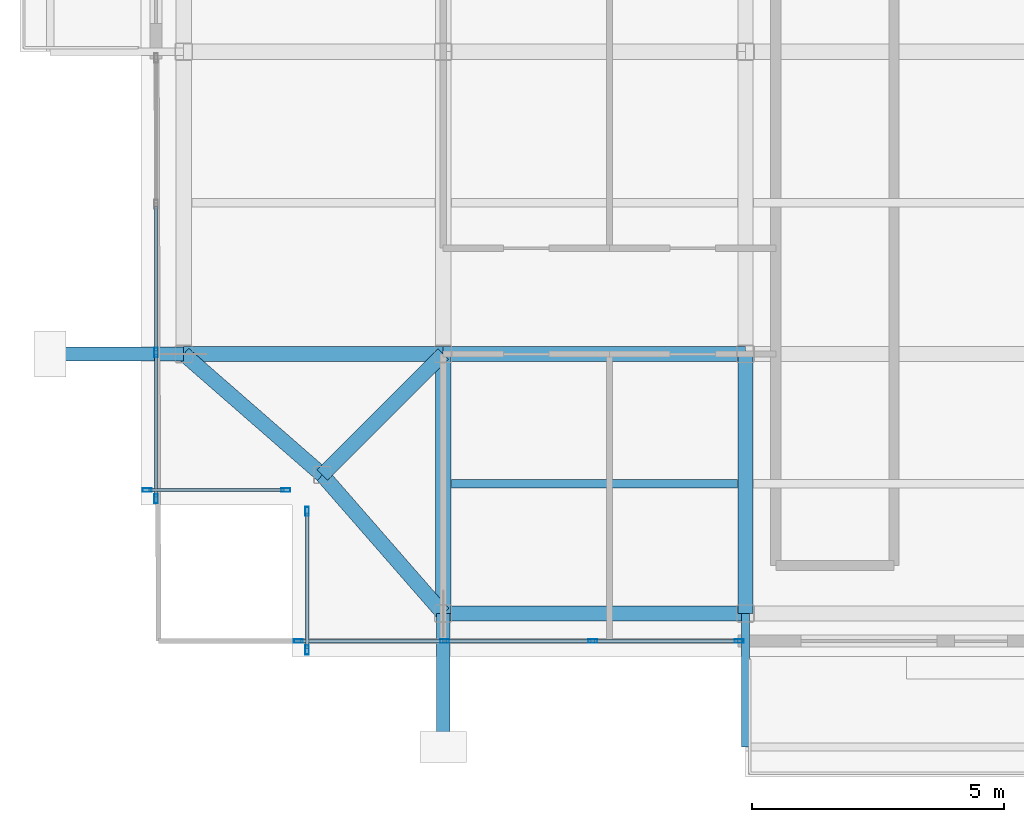
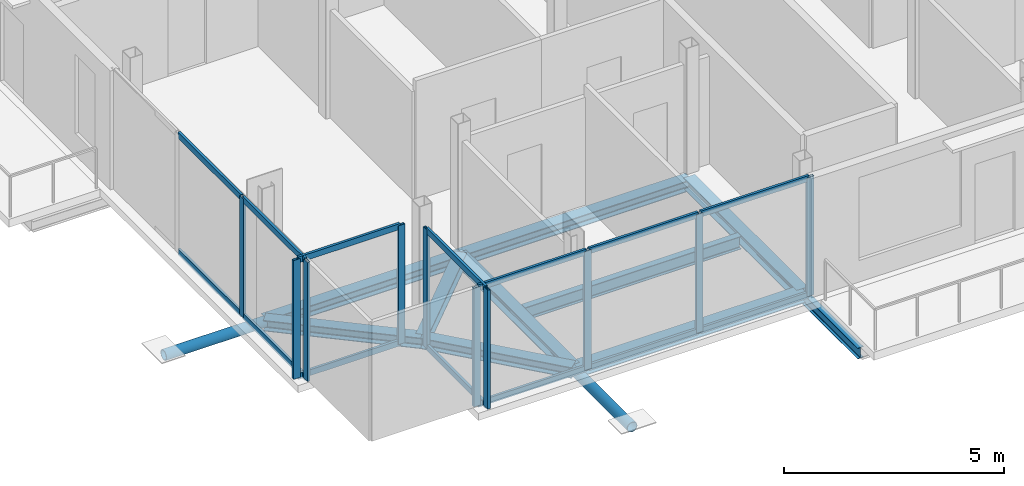
# One storey, part 2 of 18: 26 members, 10 beams, 4 elements without a shape of their own.
"""IFC4 building model written with IfcOpenShell, lengths in metres."""

from ifc_helpers import new_model, si_unit, direction, frame, origin, origin_2d, place, context, subcontext, project, spatial, hollow_rectangle, hollow_circle, i_section, extrude, material, layer, layer_set, material_profile, profile_set, type_object, element, aggregate, save


model = new_model("IFC4")

# Units and contexts
model_context = context("Model", 3, precision=1e-05, world=origin(), true_north=direction((0.0, 1.0)))
body_context = subcontext(model_context, "Body", "Model", "MODEL_VIEW")
ifc_project = project(units=[si_unit("LENGTHUNIT", "METRE"), si_unit("AREAUNIT", "SQUARE_METRE"), si_unit("VOLUMEUNIT", "CUBIC_METRE"), si_unit("PLANEANGLEUNIT", "RADIAN"), si_unit("MASSUNIT", "GRAM", prefix="KILO"), si_unit("THERMODYNAMICTEMPERATUREUNIT", "KELVIN"), si_unit("POWERUNIT", "WATT")], contexts=[model_context])

# Site, building, storey
site_placement = place(None, origin())
site = spatial("IfcSite", under=ifc_project, at=site_placement, CompositionType="ELEMENT")
building_placement = place(site_placement, origin())
building = spatial("IfcBuilding", under=site, at=building_placement, Name="Svarakhadi Broadcast Tower", CompositionType="ELEMENT")
storey_placement = place(building_placement, frame((0.0, 0.0, 250.199951171875)))
storey = spatial("IfcBuildingStorey", under=building, at=storey_placement, Name="L62", CompositionType="ELEMENT", Elevation=250.199951171875)

# Beam
ifc_material_1 = material(Name="Steel S355J2 (IS 2062 E350C)", Category="steel")
ifc_material_profile_1 = material_profile(ifc_material_1, i_section(OverallWidth=0.169921875, OverallDepth=0.360107421875, WebThickness=0.008056640625, FlangeThickness=0.0126953125, FilletRadius=0.01806640625, at=origin_2d()), Name="NPB 360x170x57")
ifc_profile_set_1 = profile_set([ifc_material_profile_1], Name="Steel S355J2 (IS 2062 E350C)")
beam_type_1 = type_object("IfcBeamType", Name="Beam_NPB360", PredefinedType="BEAM", material=ifc_profile_set_1)
beam_1_placement = place(storey_placement, frame((6.159912109375, 3.425048828125, -0.3798828125), z_axis=(1.0, 0.0, 0.0), x_axis=(0.0, 1.0, 0.0)))
element("IfcBeam", 1, at=beam_1_placement, inside=storey, type_object=beam_type_1, Name="L62 Secondary Composite Beam SB004", PredefinedType="BEAM", context=body_context, shape_type="SweptSolid", body=[
    extrude(i_section(OverallWidth=0.169921875, OverallDepth=0.360107421875, WebThickness=0.008056640625, FlangeThickness=0.0126953125, FilletRadius=0.01806640625, at=origin_2d()), origin(), (0.0, 0.0, 1.0), 5.68017578125),
])

# Curtain wall, members
ifc_material_2 = material(Name="Anodised Bronze Aluminium AA 6063-T6", Category="aluminium")
ifc_layer = layer(ifc_material_2, 0.179931640625)
ifc_layer_set = layer_set([ifc_layer], Name="Anodised Bronze Aluminium AA 6063-T6")
curtain_wall_type = type_object("IfcCurtainWallType", Name="CW_Sys_05", PredefinedType="NOTDEFINED", material=ifc_layer_set)
curtain_wall_1_placement = place(storey_placement, origin())
curtain_wall_1 = element("IfcCurtainWall", 2, at=curtain_wall_1_placement, inside=storey, type_object=curtain_wall_type, Name="L62 Unitised Facade Curtain Wall 01", PredefinedType="NOTDEFINED")
ifc_material_profile_2 = material_profile(ifc_material_2, hollow_rectangle(XDim=0.070068359375, YDim=0.179931640625, WallThickness=0.005615234375, at=origin_2d()), Name="ALU MULLION 180x70x6")
ifc_profile_set_2 = profile_set([ifc_material_profile_2], Name="Anodised Bronze Aluminium AA 6063-T6")
member_type_1 = type_object("IfcMemberType", Name="CW_Sys_05_Mul", PredefinedType="MULLION", material=ifc_profile_set_2)
member_1_placement = place(storey_placement, frame((2.875, 3.300048828125, 0.0), z_axis=(0.0, 0.0, 1.0), x_axis=(0.0, -1.0, 0.0)))
member_1 = element("IfcMember", 3, at=member_1_placement, type_object=member_type_1, Name="CW-05 mullion 1", PredefinedType="MULLION", context=body_context, shape_type="SweptSolid", body=[
    extrude(hollow_rectangle(XDim=0.070068359375, YDim=0.179931640625, WallThickness=0.005615234375, at=origin_2d()), origin(), (0.0, 0.0, 1.0), 3.300048828125),
])
member_2_placement = place(storey_placement, frame((0.125, 3.300048828125, 0.0), z_axis=(0.0, 0.0, 1.0), x_axis=(0.0, -1.0, 0.0)))
member_2 = element("IfcMember", 4, at=member_2_placement, type_object=member_type_1, Name="CW-05 mullion 2", PredefinedType="MULLION", context=body_context, shape_type="SweptSolid", body=[
    extrude(hollow_rectangle(XDim=0.070068359375, YDim=0.179931640625, WallThickness=0.005615234375, at=origin_2d()), origin(), (0.0, 0.0, 1.0), 3.300048828125),
])

curtain_wall_2_placement = place(storey_placement, origin())
curtain_wall_2 = element("IfcCurtainWall", 5, at=curtain_wall_2_placement, inside=storey, type_object=curtain_wall_type, Name="L62 West Curtain Wall 02", PredefinedType="NOTDEFINED")
member_3_placement = place(storey_placement, frame((0.300048828125, 3.125, 0.0), z_axis=(0.0, 0.0, 1.0), x_axis=(-1.0, 0.0, 0.0)))
member_3 = element("IfcMember", 6, at=member_3_placement, type_object=member_type_1, Name="CW-05 mullion 1", PredefinedType="MULLION", context=body_context, shape_type="SweptSolid", body=[
    extrude(hollow_rectangle(XDim=0.070068359375, YDim=0.179931640625, WallThickness=0.005615234375, at=origin_2d()), origin(), (0.0, 0.0, 1.0), 3.300048828125),
])
member_4_placement = place(storey_placement, frame((0.300048828125, 6.030029296875, 0.0), z_axis=(0.0, 0.0, 1.0), x_axis=(-1.0, 0.0, 0.0)))
member_4 = element("IfcMember", 7, at=member_4_placement, type_object=member_type_1, Name="CW-05 mullion 2", PredefinedType="MULLION", context=body_context, shape_type="SweptSolid", body=[
    extrude(hollow_rectangle(XDim=0.070068359375, YDim=0.179931640625, WallThickness=0.005615234375, at=origin_2d()), origin(), (0.0, 0.0, 1.0), 3.300048828125),
])

curtain_wall_3_placement = place(storey_placement, origin())
curtain_wall_3 = element("IfcCurtainWall", 8, at=curtain_wall_3_placement, inside=storey, type_object=curtain_wall_type, Name="L62 South Curtain Wall 17", PredefinedType="NOTDEFINED")
member_5_placement = place(storey_placement, frame((11.875, 0.300048828125, 0.0), z_axis=(0.0, 0.0, 1.0), x_axis=(0.0, -1.0, 0.0)))
member_5 = element("IfcMember", 9, at=member_5_placement, type_object=member_type_1, Name="CW-05 mullion 1", PredefinedType="MULLION", context=body_context, shape_type="SweptSolid", body=[
    extrude(hollow_rectangle(XDim=0.070068359375, YDim=0.179931640625, WallThickness=0.005615234375, at=origin_2d()), origin(), (0.0, 0.0, 1.0), 3.300048828125),
])
member_6_placement = place(storey_placement, frame((8.969970703125, 0.300048828125, 0.0), z_axis=(0.0, 0.0, 1.0), x_axis=(0.0, -1.0, 0.0)))
member_6 = element("IfcMember", 10, at=member_6_placement, type_object=member_type_1, Name="CW-05 mullion 2", PredefinedType="MULLION", context=body_context, shape_type="SweptSolid", body=[
    extrude(hollow_rectangle(XDim=0.070068359375, YDim=0.179931640625, WallThickness=0.005615234375, at=origin_2d()), origin(), (0.0, 0.0, 1.0), 3.300048828125),
])
member_7_placement = place(storey_placement, frame((6.030029296875, 0.300048828125, 0.0), z_axis=(0.0, 0.0, 1.0), x_axis=(0.0, -1.0, 0.0)))
member_7 = element("IfcMember", 11, at=member_7_placement, type_object=member_type_1, Name="CW-05 mullion 3", PredefinedType="MULLION", context=body_context, shape_type="SweptSolid", body=[
    extrude(hollow_rectangle(XDim=0.070068359375, YDim=0.179931640625, WallThickness=0.005615234375, at=origin_2d()), origin(), (0.0, 0.0, 1.0), 3.300048828125),
])
member_8_placement = place(storey_placement, frame((3.125, 0.300048828125, 0.0), z_axis=(0.0, 0.0, 1.0), x_axis=(0.0, -1.0, 0.0)))
member_8 = element("IfcMember", 12, at=member_8_placement, type_object=member_type_1, Name="CW-05 mullion 4", PredefinedType="MULLION", context=body_context, shape_type="SweptSolid", body=[
    extrude(hollow_rectangle(XDim=0.070068359375, YDim=0.179931640625, WallThickness=0.005615234375, at=origin_2d()), origin(), (0.0, 0.0, 1.0), 3.300048828125),
])

curtain_wall_4_placement = place(storey_placement, origin())
curtain_wall_4 = element("IfcCurtainWall", 13, at=curtain_wall_4_placement, inside=storey, type_object=curtain_wall_type, Name="L62 Unitised Facade Curtain Wall 18", PredefinedType="NOTDEFINED")
member_9_placement = place(storey_placement, frame((3.300048828125, 0.125, 0.0), z_axis=(0.0, 0.0, 1.0), x_axis=(-1.0, 0.0, 0.0)))
member_9 = element("IfcMember", 14, at=member_9_placement, type_object=member_type_1, Name="CW-05 mullion 1", PredefinedType="MULLION", context=body_context, shape_type="SweptSolid", body=[
    extrude(hollow_rectangle(XDim=0.070068359375, YDim=0.179931640625, WallThickness=0.005615234375, at=origin_2d()), origin(), (0.0, 0.0, 1.0), 3.300048828125),
])
member_10_placement = place(storey_placement, frame((3.300048828125, 2.875, 0.0), z_axis=(0.0, 0.0, 1.0), x_axis=(-1.0, 0.0, 0.0)))
member_10 = element("IfcMember", 15, at=member_10_placement, type_object=member_type_1, Name="CW-05 mullion 2", PredefinedType="MULLION", context=body_context, shape_type="SweptSolid", body=[
    extrude(hollow_rectangle(XDim=0.070068359375, YDim=0.179931640625, WallThickness=0.005615234375, at=origin_2d()), origin(), (0.0, 0.0, 1.0), 3.300048828125),
])

# Member
ifc_material_profile_3 = material_profile(ifc_material_2, hollow_rectangle(XDim=0.06494140625, YDim=0.1650390625, WallThickness=0.0048828125, at=origin_2d()), Name="ALU TRANSOM 165x65x5")
ifc_profile_set_3 = profile_set([ifc_material_profile_3], Name="Anodised Bronze Aluminium AA 6063-T6")
member_type_2 = type_object("IfcMemberType", Name="CW_Sys_05_Trn", PredefinedType="USERDEFINED", material=ifc_profile_set_3)
member_11_placement = place(storey_placement, frame((2.840087890625, 3.300048828125, 0.032470703125), z_axis=(-1.0, 0.0, 0.0), x_axis=(0.0, -1.0, 0.0)))
member_11 = element("IfcMember", 16, at=member_11_placement, type_object=member_type_2, Name="CW-05 transom 1.1", ObjectType="TRANSOM", PredefinedType="USERDEFINED", context=body_context, shape_type="SweptSolid", body=[
    extrude(hollow_rectangle(XDim=0.06494140625, YDim=0.1650390625, WallThickness=0.0048828125, at=origin_2d()), origin(), (0.0, 0.0, 1.0), 2.68017578125),
])

member_12_placement = place(storey_placement, frame((2.840087890625, 3.300048828125, 3.267578125), z_axis=(-1.0, 0.0, 0.0), x_axis=(0.0, -1.0, 0.0)))
member_12 = element("IfcMember", 17, at=member_12_placement, type_object=member_type_2, Name="CW-05 transom 1.2", ObjectType="TRANSOM", PredefinedType="USERDEFINED", context=body_context, shape_type="SweptSolid", body=[
    extrude(hollow_rectangle(XDim=0.06494140625, YDim=0.1650390625, WallThickness=0.0048828125, at=origin_2d()), origin(), (0.0, 0.0, 1.0), 2.68017578125),
])

aggregate(curtain_wall_1, [member_1, member_2, member_11, member_12])

member_13_placement = place(storey_placement, frame((0.300048828125, 3.159912109375, 0.032470703125), z_axis=(0.0, 1.0, 0.0), x_axis=(-1.0, 0.0, 0.0)))
member_13 = element("IfcMember", 18, at=member_13_placement, type_object=member_type_2, Name="CW-05 transom 1.1", ObjectType="TRANSOM", PredefinedType="USERDEFINED", context=body_context, shape_type="SweptSolid", body=[
    extrude(hollow_rectangle(XDim=0.06494140625, YDim=0.1650390625, WallThickness=0.0048828125, at=origin_2d()), origin(), (0.0, 0.0, 1.0), 2.835205078125),
])

member_14_placement = place(storey_placement, frame((0.300048828125, 3.159912109375, 3.267578125), z_axis=(0.0, 1.0, 0.0), x_axis=(-1.0, 0.0, 0.0)))
member_14 = element("IfcMember", 19, at=member_14_placement, type_object=member_type_2, Name="CW-05 transom 1.2", ObjectType="TRANSOM", PredefinedType="USERDEFINED", context=body_context, shape_type="SweptSolid", body=[
    extrude(hollow_rectangle(XDim=0.06494140625, YDim=0.1650390625, WallThickness=0.0048828125, at=origin_2d()), origin(), (0.0, 0.0, 1.0), 2.835205078125),
])

member_15_placement = place(storey_placement, frame((0.300048828125, 6.06494140625, 0.032470703125), z_axis=(0.0, 1.0, 0.0), x_axis=(-1.0, 0.0, 0.0)))
member_15 = element("IfcMember", 20, at=member_15_placement, type_object=member_type_2, Name="CW-05 transom 2.1", ObjectType="TRANSOM", PredefinedType="USERDEFINED", context=body_context, shape_type="SweptSolid", body=[
    extrude(hollow_rectangle(XDim=0.06494140625, YDim=0.1650390625, WallThickness=0.0048828125, at=origin_2d()), origin(), (0.0, 0.0, 1.0), 2.8701171875),
])

member_16_placement = place(storey_placement, frame((0.300048828125, 6.06494140625, 3.267578125), z_axis=(0.0, 1.0, 0.0), x_axis=(-1.0, 0.0, 0.0)))
member_16 = element("IfcMember", 21, at=member_16_placement, type_object=member_type_2, Name="CW-05 transom 2.2", ObjectType="TRANSOM", PredefinedType="USERDEFINED", context=body_context, shape_type="SweptSolid", body=[
    extrude(hollow_rectangle(XDim=0.06494140625, YDim=0.1650390625, WallThickness=0.0048828125, at=origin_2d()), origin(), (0.0, 0.0, 1.0), 2.8701171875),
])

aggregate(curtain_wall_2, [member_3, member_4, member_13, member_14, member_15, member_16])

member_17_placement = place(storey_placement, frame((11.840087890625, 0.300048828125, 0.032470703125), z_axis=(-1.0, 0.0, 0.0), x_axis=(0.0, -1.0, 0.0)))
member_17 = element("IfcMember", 22, at=member_17_placement, type_object=member_type_2, Name="CW-05 transom 1.1", ObjectType="TRANSOM", PredefinedType="USERDEFINED", context=body_context, shape_type="SweptSolid", body=[
    extrude(hollow_rectangle(XDim=0.06494140625, YDim=0.1650390625, WallThickness=0.0048828125, at=origin_2d()), origin(), (0.0, 0.0, 1.0), 2.835205078125),
])

member_18_placement = place(storey_placement, frame((11.840087890625, 0.300048828125, 3.267578125), z_axis=(-1.0, 0.0, 0.0), x_axis=(0.0, -1.0, 0.0)))
member_18 = element("IfcMember", 23, at=member_18_placement, type_object=member_type_2, Name="CW-05 transom 1.2", ObjectType="TRANSOM", PredefinedType="USERDEFINED", context=body_context, shape_type="SweptSolid", body=[
    extrude(hollow_rectangle(XDim=0.06494140625, YDim=0.1650390625, WallThickness=0.0048828125, at=origin_2d()), origin(), (0.0, 0.0, 1.0), 2.835205078125),
])

member_19_placement = place(storey_placement, frame((8.93505859375, 0.300048828125, 0.032470703125), z_axis=(-1.0, 0.0, 0.0), x_axis=(0.0, -1.0, 0.0)))
member_19 = element("IfcMember", 24, at=member_19_placement, type_object=member_type_2, Name="CW-05 transom 2.1", ObjectType="TRANSOM", PredefinedType="USERDEFINED", context=body_context, shape_type="SweptSolid", body=[
    extrude(hollow_rectangle(XDim=0.06494140625, YDim=0.1650390625, WallThickness=0.0048828125, at=origin_2d()), origin(), (0.0, 0.0, 1.0), 2.8701171875),
])

member_20_placement = place(storey_placement, frame((8.93505859375, 0.300048828125, 3.267578125), z_axis=(-1.0, 0.0, 0.0), x_axis=(0.0, -1.0, 0.0)))
member_20 = element("IfcMember", 25, at=member_20_placement, type_object=member_type_2, Name="CW-05 transom 2.2", ObjectType="TRANSOM", PredefinedType="USERDEFINED", context=body_context, shape_type="SweptSolid", body=[
    extrude(hollow_rectangle(XDim=0.06494140625, YDim=0.1650390625, WallThickness=0.0048828125, at=origin_2d()), origin(), (0.0, 0.0, 1.0), 2.8701171875),
])

member_21_placement = place(storey_placement, frame((5.9951171875, 0.300048828125, 0.032470703125), z_axis=(-1.0, 0.0, 0.0), x_axis=(0.0, -1.0, 0.0)))
member_21 = element("IfcMember", 26, at=member_21_placement, type_object=member_type_2, Name="CW-05 transom 3.1", ObjectType="TRANSOM", PredefinedType="USERDEFINED", context=body_context, shape_type="SweptSolid", body=[
    extrude(hollow_rectangle(XDim=0.06494140625, YDim=0.1650390625, WallThickness=0.0048828125, at=origin_2d()), origin(), (0.0, 0.0, 1.0), 2.835205078125),
])

member_22_placement = place(storey_placement, frame((5.9951171875, 0.300048828125, 3.267578125), z_axis=(-1.0, 0.0, 0.0), x_axis=(0.0, -1.0, 0.0)))
member_22 = element("IfcMember", 27, at=member_22_placement, type_object=member_type_2, Name="CW-05 transom 3.2", ObjectType="TRANSOM", PredefinedType="USERDEFINED", context=body_context, shape_type="SweptSolid", body=[
    extrude(hollow_rectangle(XDim=0.06494140625, YDim=0.1650390625, WallThickness=0.0048828125, at=origin_2d()), origin(), (0.0, 0.0, 1.0), 2.835205078125),
])

aggregate(curtain_wall_3, [member_5, member_6, member_7, member_8, member_17, member_18, member_19, member_20, member_21, member_22])

member_23_placement = place(storey_placement, frame((3.300048828125, 0.159912109375, 0.032470703125), z_axis=(0.0, 1.0, 0.0), x_axis=(-1.0, 0.0, 0.0)))
member_23 = element("IfcMember", 28, at=member_23_placement, type_object=member_type_2, Name="CW-05 transom 1.1", ObjectType="TRANSOM", PredefinedType="USERDEFINED", context=body_context, shape_type="SweptSolid", body=[
    extrude(hollow_rectangle(XDim=0.06494140625, YDim=0.1650390625, WallThickness=0.0048828125, at=origin_2d()), origin(), (0.0, 0.0, 1.0), 2.68017578125),
])

member_24_placement = place(storey_placement, frame((3.300048828125, 0.159912109375, 3.267578125), z_axis=(0.0, 1.0, 0.0), x_axis=(-1.0, 0.0, 0.0)))
member_24 = element("IfcMember", 29, at=member_24_placement, type_object=member_type_2, Name="CW-05 transom 1.2", ObjectType="TRANSOM", PredefinedType="USERDEFINED", context=body_context, shape_type="SweptSolid", body=[
    extrude(hollow_rectangle(XDim=0.06494140625, YDim=0.1650390625, WallThickness=0.0048828125, at=origin_2d()), origin(), (0.0, 0.0, 1.0), 2.68017578125),
])

aggregate(curtain_wall_4, [member_9, member_10, member_23, member_24])

# Members
ifc_material_3 = material(Name="Steel S460ML (IS 2062 E450BR)", Category="steel")
ifc_material_profile_4 = material_profile(ifc_material_3, hollow_circle(Radius=0.136474609375, WallThickness=0.012451171875, at=origin_2d()), Name="CHS 273x12.5")
ifc_profile_set_4 = profile_set([ifc_material_profile_4], Name="Steel S460ML (IS 2062 E450BR)")
member_type_3 = type_object("IfcMemberType", Name="Exo_Radial_Strut_Z3", PredefinedType="STRUT", material=ifc_profile_set_4)
for number, where, z_axis, x_axis, name in (
    (30, (6.0, -1.800048828125, -0.33642578125), (0.0, 1.0, 0.0), (-1.0, 0.0, 0.0), "L62 Exoskeleton Radial Tie Strut S01"),
    (31, (-1.800048828125, 6.0, -0.33642578125), (1.0, 0.0, 0.0), (0.0, 1.0, 0.0), "L62 Exoskeleton Radial Tie Strut W04"),
):
    element("IfcMember", number, at=place(storey_placement, frame(where, z_axis=z_axis, x_axis=x_axis)), inside=storey, type_object=member_type_3, Name=name, PredefinedType="STRUT", context=body_context, shape_type="SweptSolid", body=[
        extrude(hollow_circle(Radius=0.136474609375, WallThickness=0.012451171875, at=origin_2d()), origin(), (0.0, 0.0, 1.0), 2.650146484375),
    ])

# Beams
ifc_material_profile_5 = material_profile(ifc_material_1, i_section(OverallWidth=0.300048828125, OverallDepth=0.300048828125, WebThickness=0.010986328125, FlangeThickness=0.01904296875, FilletRadius=0.027099609375, at=origin_2d()), Name="WPB 300x300x117")
ifc_profile_set_5 = profile_set([ifc_material_profile_5], Name="Steel S355J2 (IS 2062 E350C)")
beam_type_2 = type_object("IfcBeamType", Name="Girder_WPB300", PredefinedType="USERDEFINED", material=ifc_profile_set_5)
beam_2_placement = place(storey_placement, frame((3.60009765625, 3.60009765625, -0.349853515625), z_axis=(0.707106781187, 0.707106781187, 0.0), x_axis=(-0.707106781187, 0.707106781187, 0.0)))
element("IfcBeam", 32, at=beam_2_placement, inside=storey, type_object=beam_type_2, Name="L62 Corner Tie Girder G001", ObjectType="GIRDER", PredefinedType="USERDEFINED", context=body_context, shape_type="SweptSolid", body=[
    extrude(i_section(OverallWidth=0.300048828125, OverallDepth=0.300048828125, WebThickness=0.010986328125, FlangeThickness=0.01904296875, FilletRadius=0.027099609375, at=origin_2d()), origin(), (0.0, 0.0, 1.0), 3.39404296875),
])
for number, where, z_axis, x_axis, name in (
    (33, (3.60009765625, 3.60009765625, -0.349853515625), (-0.753437912176, 0.657519058655, 0.0), (-0.657519058655, -0.753437912176, 0.0), "L62 Corner Tie Girder G002"),
    (34, (3.60009765625, 3.60009765625, -0.349853515625), (0.657519058655, -0.753437912176, 0.0), (0.753437912176, 0.657519058655, 0.0), "L62 Corner Tie Girder G003"),
):
    element("IfcBeam", number, at=place(storey_placement, frame(where, z_axis=z_axis, x_axis=x_axis)), inside=storey, type_object=beam_type_2, Name=name, ObjectType="GIRDER", PredefinedType="USERDEFINED", context=body_context, shape_type="SweptSolid", body=[
        extrude(i_section(OverallWidth=0.300048828125, OverallDepth=0.300048828125, WebThickness=0.010986328125, FlangeThickness=0.01904296875, FilletRadius=0.027099609375, at=origin_2d()), origin(), (0.0, 0.0, 1.0), 3.64990234375),
    ])
beam_3_placement = place(storey_placement, frame((6.0, 0.85009765625, -0.349853515625), z_axis=(1.0, 0.0, 0.0), x_axis=(0.0, 1.0, 0.0)))
element("IfcBeam", 35, at=beam_3_placement, inside=storey, type_object=beam_type_2, Name="L62 Primary E-W Girder G004", ObjectType="GIRDER", PredefinedType="USERDEFINED", context=body_context, shape_type="SweptSolid", body=[
    extrude(i_section(OverallWidth=0.300048828125, OverallDepth=0.300048828125, WebThickness=0.010986328125, FlangeThickness=0.01904296875, FilletRadius=0.027099609375, at=origin_2d()), origin(), (0.0, 0.0, 1.0), 6.0),
])
beam_4_placement = place(storey_placement, frame((0.85009765625, 6.0, -0.349853515625), z_axis=(1.0, 0.0, 0.0), x_axis=(0.0, 1.0, 0.0)))
element("IfcBeam", 36, at=beam_4_placement, inside=storey, type_object=beam_type_2, Name="L62 Primary E-W Girder G008", ObjectType="GIRDER", PredefinedType="USERDEFINED", context=body_context, shape_type="SweptSolid", body=[
    extrude(i_section(OverallWidth=0.300048828125, OverallDepth=0.300048828125, WebThickness=0.010986328125, FlangeThickness=0.01904296875, FilletRadius=0.027099609375, at=origin_2d()), origin(), (0.0, 0.0, 1.0), 5.14990234375),
])
beam_5_placement = place(storey_placement, frame((6.0, 6.0, -0.349853515625), z_axis=(1.0, 0.0, 0.0), x_axis=(0.0, 1.0, 0.0)))
element("IfcBeam", 37, at=beam_5_placement, inside=storey, type_object=beam_type_2, Name="L62 Primary E-W Girder G009", ObjectType="GIRDER", PredefinedType="USERDEFINED", context=body_context, shape_type="SweptSolid", body=[
    extrude(i_section(OverallWidth=0.300048828125, OverallDepth=0.300048828125, WebThickness=0.010986328125, FlangeThickness=0.01904296875, FilletRadius=0.027099609375, at=origin_2d()), origin(), (0.0, 0.0, 1.0), 6.0),
])
for number, where, z_axis, x_axis, name in (
    (38, (6.0, 0.85009765625, -0.349853515625), (0.0, 1.0, 0.0), (-1.0, 0.0, 0.0), "L62 Primary N-S Girder G029"),
    (39, (12.0, 0.85009765625, -0.349853515625), (0.0, 1.0, 0.0), (-1.0, 0.0, 0.0), "L62 Primary N-S Girder G033"),
):
    element("IfcBeam", number, at=place(storey_placement, frame(where, z_axis=z_axis, x_axis=x_axis)), inside=storey, type_object=beam_type_2, Name=name, ObjectType="GIRDER", PredefinedType="USERDEFINED", context=body_context, shape_type="SweptSolid", body=[
        extrude(i_section(OverallWidth=0.300048828125, OverallDepth=0.300048828125, WebThickness=0.010986328125, FlangeThickness=0.01904296875, FilletRadius=0.027099609375, at=origin_2d()), origin(), (0.0, 0.0, 1.0), 5.14990234375),
    ])
ifc_material_profile_6 = material_profile(ifc_material_1, i_section(OverallWidth=0.14990234375, OverallDepth=0.300048828125, WebThickness=0.007080078125, FlangeThickness=0.0107421875, FilletRadius=0.014892578125, at=origin_2d()), Name="NPB 300x150x37")
ifc_profile_set_6 = profile_set([ifc_material_profile_6], Name="Steel S355J2 (IS 2062 E350C)")
beam_type_3 = type_object("IfcBeamType", Name="Spandrel_NPB300", PredefinedType="SPANDREL", material=ifc_profile_set_6)
beam_6_placement = place(storey_placement, frame((12.0, 0.85009765625, -0.375), z_axis=(0.0, -1.0, 0.0), x_axis=(1.0, 0.0, 0.0)))
element("IfcBeam", 40, at=beam_6_placement, inside=storey, type_object=beam_type_3, Name="L62 Balcony Cantilever Bracket 1A", PredefinedType="SPANDREL", context=body_context, shape_type="SweptSolid", body=[
    extrude(i_section(OverallWidth=0.14990234375, OverallDepth=0.300048828125, WebThickness=0.007080078125, FlangeThickness=0.0107421875, FilletRadius=0.014892578125, at=origin_2d()), origin(), (0.0, 0.0, 1.0), 2.650146484375),
])

save(model, "model.ifc")
